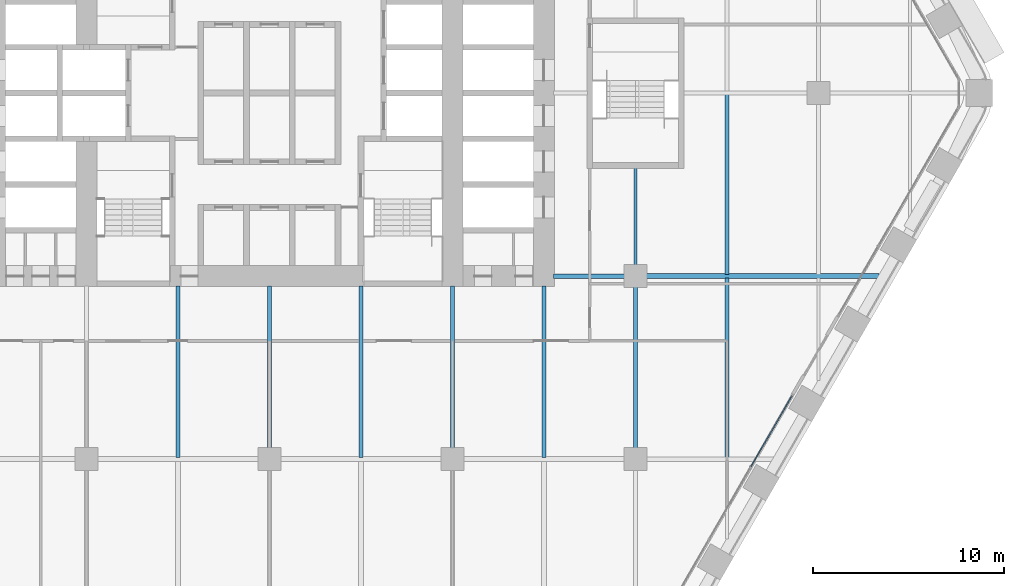
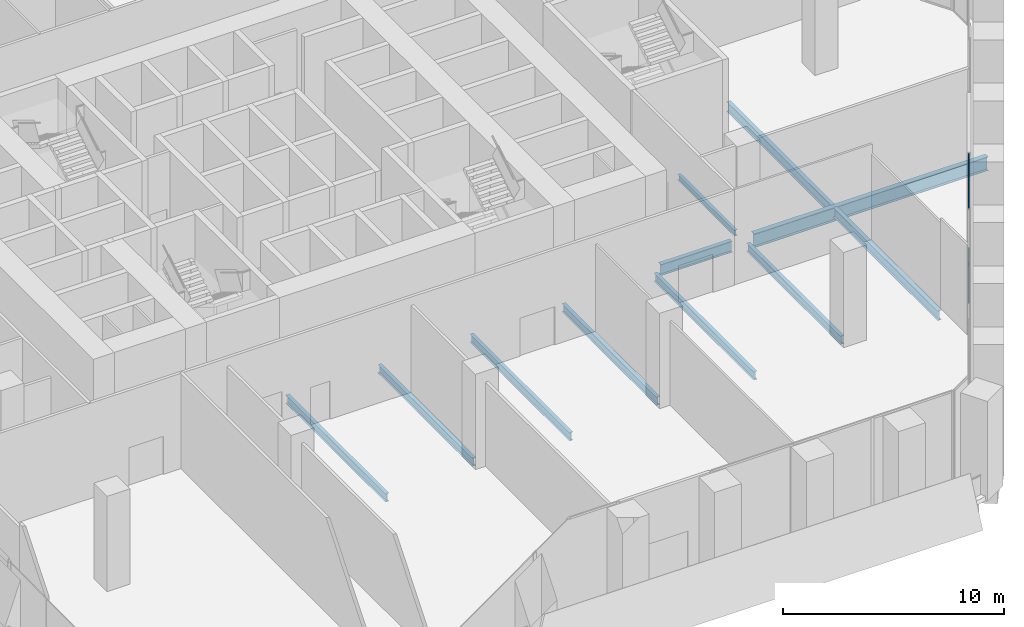
# One storey, part 6 of 27: 11 beams, 2 members, 1 element without a shape of its own.
"""IFC4 building model written with IfcOpenShell, lengths in metres."""

from ifc_helpers import new_model, si_unit, direction, frame, origin, origin_2d, place, context, subcontext, project, spatial, rectangle, i_section, extrude, material, material_profile, profile_set, type_object, element, aggregate, save


model = new_model("IFC4")

# Units and contexts
model_context = context("Model", 3, precision=1e-05, world=origin(), true_north=direction((0.0, 1.0)))
body_context = subcontext(model_context, "Body", "Model", "MODEL_VIEW")
ifc_project = project(units=[si_unit("LENGTHUNIT", "METRE"), si_unit("AREAUNIT", "SQUARE_METRE"), si_unit("VOLUMEUNIT", "CUBIC_METRE"), si_unit("PLANEANGLEUNIT", "RADIAN"), si_unit("MASSUNIT", "GRAM", prefix="KILO")], contexts=[model_context])

# Site, building, storey
site_placement = place(None, origin())
site = spatial("IfcSite", under=ifc_project, at=site_placement, CompositionType="ELEMENT")
building_placement = place(site_placement, origin())
building = spatial("IfcBuilding", under=site, at=building_placement, Name="Kolab Exchange Tower", CompositionType="ELEMENT")
storey_placement = place(building_placement, frame((0.0, 0.0, 44.39990234375)))
storey = spatial("IfcBuildingStorey", under=building, at=storey_placement, Name="L08", CompositionType="ELEMENT", Elevation=44.39990234375)

# Beams
ifc_material_1 = material(Name="Steel S355", Category="steel")
ifc_material_profile_1 = material_profile(ifc_material_1, i_section(OverallWidth=0.1650390625, OverallDepth=0.31005859375, WebThickness=0.005859375, FlangeThickness=0.009765625, at=origin_2d()), Name="W310X39")
ifc_profile_set_1 = profile_set([ifc_material_profile_1], Name="Steel S355")
beam_type_1 = type_object("IfcBeamType", Name="FLOOR BEAM W310X39", PredefinedType="BEAM", material=ifc_profile_set_1)
beam_1_placement = place(storey_placement, frame((19.199951171875, -9.0400390625, -0.40478515625), z_axis=(0.0, 1.0, 0.0), x_axis=(-1.0, 0.0, 0.0)))
element("IfcBeam", 1, at=beam_1_placement, inside=storey, type_object=beam_type_1, Name="beam/L08/fr/048", PredefinedType="BEAM", context=body_context, shape_type="SweptSolid", body=[
    extrude(i_section(OverallWidth=0.1650390625, OverallDepth=0.31005859375, WebThickness=0.005859375, FlangeThickness=0.009765625, at=origin_2d()), origin(), (0.0, 0.0, 1.0), 5.130126953125),
])
ifc_material_profile_2 = material_profile(ifc_material_1, i_section(OverallWidth=0.18994140625, OverallDepth=0.45703125, WebThickness=0.009033203125, FlangeThickness=0.014404296875, at=origin_2d()), Name="W460X74")
ifc_profile_set_2 = profile_set([ifc_material_profile_2], Name="Steel S355")
beam_type_2 = type_object("IfcBeamType", Name="FLOOR BEAM W460X74", PredefinedType="BEAM", material=ifc_profile_set_2)
beam_2_placement = place(storey_placement, frame((-4.800048828125, -19.113037109375, -0.478515625), z_axis=(0.0, 1.0, 0.0), x_axis=(-1.0, 0.0, 0.0)))
element("IfcBeam", 2, at=beam_2_placement, inside=storey, type_object=beam_type_2, Name="beam/L08/fr/027", PredefinedType="BEAM", context=body_context, shape_type="SweptSolid", body=[
    extrude(i_section(OverallWidth=0.18994140625, OverallDepth=0.45703125, WebThickness=0.009033203125, FlangeThickness=0.014404296875, at=origin_2d()), origin(), (0.0, 0.0, 1.0), 9.0029296875),
])
beam_3_placement = place(storey_placement, frame((0.0, -18.639892578125, -0.478515625), z_axis=(0.0, 1.0, 0.0), x_axis=(-1.0, 0.0, 0.0)))
element("IfcBeam", 3, at=beam_3_placement, inside=storey, type_object=beam_type_2, Name="beam/L08/fr/031", PredefinedType="BEAM", context=body_context, shape_type="SweptSolid", body=[
    extrude(i_section(OverallWidth=0.18994140625, OverallDepth=0.45703125, WebThickness=0.009033203125, FlangeThickness=0.014404296875, at=origin_2d()), origin(), (0.0, 0.0, 1.0), 8.52978515625),
])
beam_4_placement = place(storey_placement, frame((4.800048828125, -19.113037109375, -0.478515625), z_axis=(0.0, 1.0, 0.0), x_axis=(-1.0, 0.0, 0.0)))
element("IfcBeam", 4, at=beam_4_placement, inside=storey, type_object=beam_type_2, Name="beam/L08/fr/035", PredefinedType="BEAM", context=body_context, shape_type="SweptSolid", body=[
    extrude(i_section(OverallWidth=0.18994140625, OverallDepth=0.45703125, WebThickness=0.009033203125, FlangeThickness=0.014404296875, at=origin_2d()), origin(), (0.0, 0.0, 1.0), 9.0029296875),
])
beam_5_placement = place(storey_placement, frame((9.60009765625, -18.639892578125, -0.478515625), z_axis=(0.0, 1.0, 0.0), x_axis=(-1.0, 0.0, 0.0)))
element("IfcBeam", 5, at=beam_5_placement, inside=storey, type_object=beam_type_2, Name="beam/L08/fr/039", PredefinedType="BEAM", context=body_context, shape_type="SweptSolid", body=[
    extrude(i_section(OverallWidth=0.18994140625, OverallDepth=0.45703125, WebThickness=0.009033203125, FlangeThickness=0.014404296875, at=origin_2d()), origin(), (0.0, 0.0, 1.0), 8.52978515625),
])
beam_6_placement = place(storey_placement, frame((14.39990234375, -19.113037109375, -0.478515625), z_axis=(0.0, 1.0, 0.0), x_axis=(-1.0, 0.0, 0.0)))
element("IfcBeam", 6, at=beam_6_placement, inside=storey, type_object=beam_type_2, Name="beam/L08/fr/043", PredefinedType="BEAM", context=body_context, shape_type="SweptSolid", body=[
    extrude(i_section(OverallWidth=0.18994140625, OverallDepth=0.45703125, WebThickness=0.009033203125, FlangeThickness=0.014404296875, at=origin_2d()), origin(), (0.0, 0.0, 1.0), 9.0029296875),
])
beam_7_placement = place(storey_placement, frame((19.199951171875, -18.639892578125, -0.478515625), z_axis=(0.0, 1.0, 0.0), x_axis=(-1.0, 0.0, 0.0)))
element("IfcBeam", 7, at=beam_7_placement, inside=storey, type_object=beam_type_2, Name="beam/L08/fr/047", PredefinedType="BEAM", context=body_context, shape_type="SweptSolid", body=[
    extrude(i_section(OverallWidth=0.18994140625, OverallDepth=0.45703125, WebThickness=0.009033203125, FlangeThickness=0.014404296875, at=origin_2d()), origin(), (0.0, 0.0, 1.0), 8.47998046875),
])
ifc_material_profile_3 = material_profile(ifc_material_1, i_section(OverallWidth=0.208984375, OverallDepth=0.532958984375, WebThickness=0.01025390625, FlangeThickness=0.015625, at=origin_2d()), Name="W530X92")
ifc_profile_set_3 = profile_set([ifc_material_profile_3], Name="Steel S355")
beam_type_3 = type_object("IfcBeamType", Name="FLOOR BEAM W530X92", PredefinedType="BEAM", material=ifc_profile_set_3)
beam_8_placement = place(storey_placement, frame((24.0, -19.1259765625, -0.516357421875), z_axis=(0.0, 1.0, 0.0), x_axis=(-1.0, 0.0, 0.0)))
element("IfcBeam", 8, at=beam_8_placement, inside=storey, type_object=beam_type_3, Name="beam/L08/fr/053", PredefinedType="BEAM", context=body_context, shape_type="SweptSolid", body=[
    extrude(i_section(OverallWidth=0.208984375, OverallDepth=0.532958984375, WebThickness=0.01025390625, FlangeThickness=0.015625, at=origin_2d()), origin(), (0.0, 0.0, 1.0), 9.432373046875),
])
beam_9_placement = place(storey_placement, frame((24.0, -9.506591796875, -0.516357421875), z_axis=(0.0, 1.0, 0.0), x_axis=(-1.0, 0.0, 0.0)))
element("IfcBeam", 9, at=beam_9_placement, inside=storey, type_object=beam_type_3, Name="beam/L08/fr/054", PredefinedType="BEAM", context=body_context, shape_type="SweptSolid", body=[
    extrude(i_section(OverallWidth=0.208984375, OverallDepth=0.532958984375, WebThickness=0.01025390625, FlangeThickness=0.015625, at=origin_2d()), origin(), (0.0, 0.0, 1.0), 9.4326171875),
])
ifc_material_profile_4 = material_profile(ifc_material_1, i_section(OverallWidth=0.22802734375, OverallDepth=0.60791015625, WebThickness=0.01123046875, FlangeThickness=0.017333984375, at=origin_2d()), Name="W610X113")
ifc_profile_set_4 = profile_set([ifc_material_profile_4], Name="Steel S355")
beam_type_4 = type_object("IfcBeamType", Name="FLOOR GIRDER W610X113", PredefinedType="BEAM", material=ifc_profile_set_4)
beam_10_placement = place(storey_placement, frame((14.909912109375, -9.60009765625, -0.553955078125), z_axis=(1.0, 0.0, 0.0), x_axis=(0.0, 1.0, 0.0)))
element("IfcBeam", 10, at=beam_10_placement, inside=storey, type_object=beam_type_4, Name="beam/L08/gd/017", PredefinedType="BEAM", context=body_context, shape_type="SweptSolid", body=[
    extrude(i_section(OverallWidth=0.22802734375, OverallDepth=0.60791015625, WebThickness=0.01123046875, FlangeThickness=0.017333984375, at=origin_2d()), origin(), (0.0, 0.0, 1.0), 3.72998046875),
])
ifc_material_profile_5 = material_profile(ifc_material_1, i_section(OverallWidth=0.26708984375, OverallDepth=0.761962890625, WebThickness=0.014404296875, FlangeThickness=0.021484375, at=origin_2d()), Name="W760X173")
ifc_profile_set_5 = profile_set([ifc_material_profile_5], Name="Steel S355")
beam_type_5 = type_object("IfcBeamType", Name="FLOOR GIRDER W760X173", PredefinedType="BEAM", material=ifc_profile_set_5)
beam_11_placement = place(storey_placement, frame((19.760009765625, -9.60009765625, -0.630859375), z_axis=(1.0, 0.0, 0.0), x_axis=(0.0, 1.0, 0.0)))
element("IfcBeam", 11, at=beam_11_placement, inside=storey, type_object=beam_type_5, Name="beam/L08/gd/021", PredefinedType="BEAM", context=body_context, shape_type="SweptSolid", body=[
    extrude(i_section(OverallWidth=0.26708984375, OverallDepth=0.761962890625, WebThickness=0.014404296875, FlangeThickness=0.021484375, at=origin_2d()), origin(), (0.0, 0.0, 1.0), 12.213623046875),
])

# Curtain wall, members
ifc_material_2 = material(Name="Aluminium EN AW-6063 T6", Category="aluminium")
curtain_wall_type = type_object("IfcCurtainWallType", Name="UNITISED LOW ZONE CURTAIN WALL", PredefinedType="NOTDEFINED", material=ifc_material_2)
curtain_wall_placement = place(storey_placement, origin())
curtain_wall = element("IfcCurtainWall", 12, at=curtain_wall_placement, inside=storey, type_object=curtain_wall_type, Name="cw/L08/F3-2", PredefinedType="NOTDEFINED")
ifc_material_profile_6 = material_profile(ifc_material_2, rectangle(XDim=0.06005859375, YDim=0.10009765625, at=origin_2d()), Name="RECT 60X100")
ifc_profile_set_6 = profile_set([ifc_material_profile_6], Name="Aluminium EN AW-6063 T6")
member_type = type_object("IfcMemberType", Name="UNITISED LOW ZONE TRANSOM 60 X 100", PredefinedType="USERDEFINED", material=ifc_profile_set_6)
member_1_placement = place(storey_placement, frame((27.401611328125, -15.8896484375, 0.030029296875), z_axis=(-0.499976099074, -0.866039202551, 0.0), x_axis=(0.866039202551, -0.499976099074, 0.0)))
member_1 = element("IfcMember", 13, at=member_1_placement, type_object=member_type, Name="CW1 transom 1.1", ObjectType="TRANSOM", PredefinedType="USERDEFINED", context=body_context, shape_type="SweptSolid", body=[
    extrude(rectangle(XDim=0.06005859375, YDim=0.10009765625, at=origin_2d()), origin(), (0.0, 0.0, 1.0), 4.277099609375),
])
member_2_placement = place(storey_placement, frame((27.401611328125, -15.8896484375, 5.22021484375), z_axis=(-0.499976099074, -0.866039202551, 0.0), x_axis=(0.866039202551, -0.499976099074, 0.0)))
member_2 = element("IfcMember", 14, at=member_2_placement, type_object=member_type, Name="CW1 transom 1.2", ObjectType="TRANSOM", PredefinedType="USERDEFINED", context=body_context, shape_type="SweptSolid", body=[
    extrude(rectangle(XDim=0.06005859375, YDim=0.10009765625, at=origin_2d()), origin(), (0.0, 0.0, 1.0), 4.277099609375),
])
aggregate(curtain_wall, [member_1, member_2])

save(model, "model.ifc")
